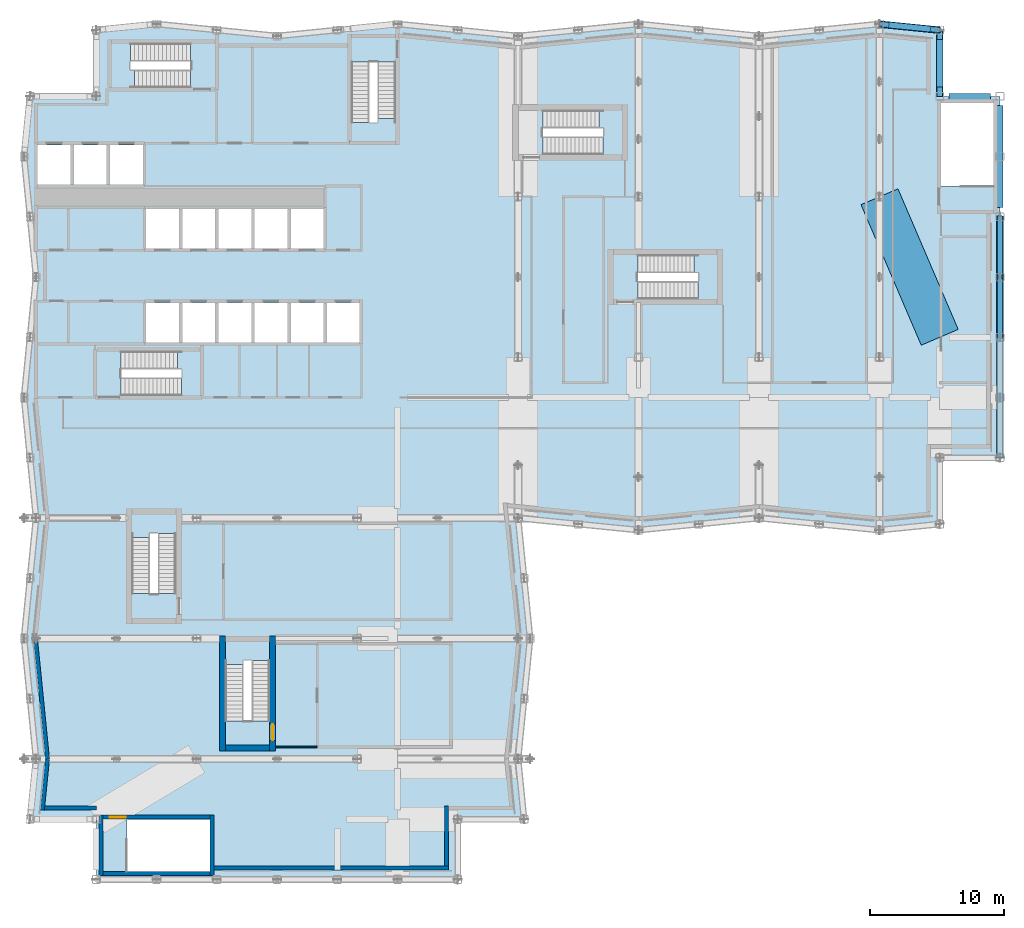
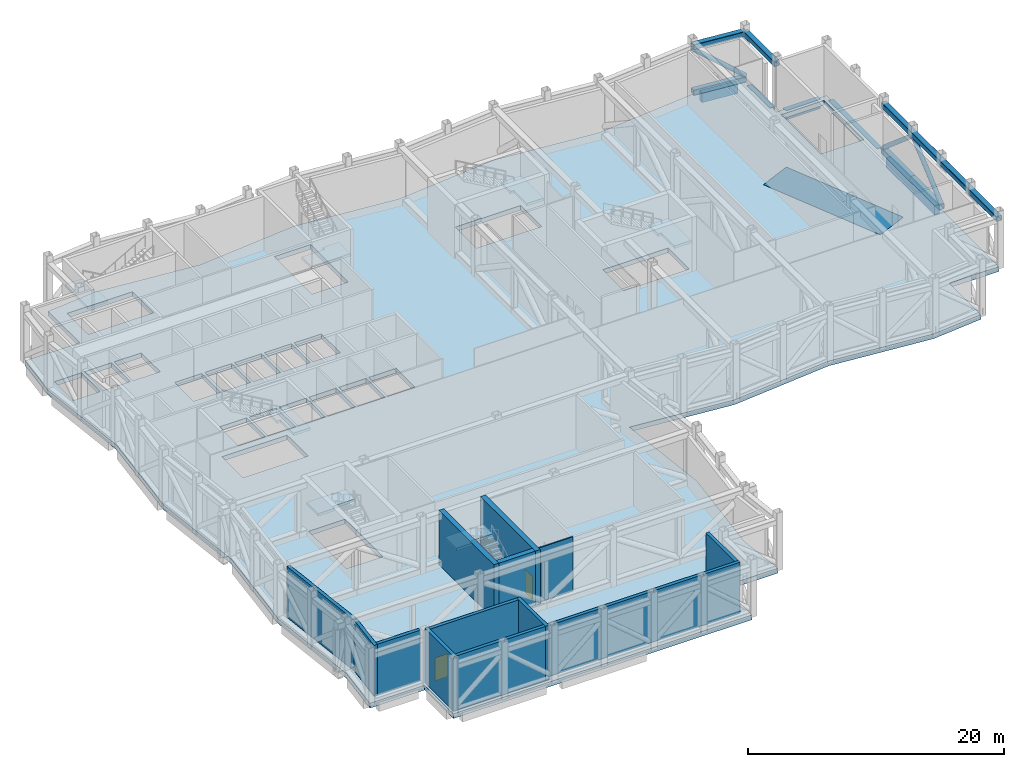
# One storey, part 8 of 22: 13 walls, 9 members, 8 slabs, 6 beams, 2 doors, 2 openings, 7 elements without a shape of their own.
"""IFC4 building model written with IfcOpenShell, lengths in metres."""

from ifc_helpers import new_model, si_unit, direction, frame, frame_2d, origin, origin_2d, place, context, subcontext, project, spatial, polyline, rectangle, hollow_rectangle, hollow_circle, outline, extrude, material, layer, layer_set, material_profile, profile_set, type_object, element, fill, aggregate, save


model = new_model("IFC4")

# Units and contexts
model_context = context("Model", 3, precision=1e-05, world=origin(), true_north=direction((0.0, 1.0)))
body_context = subcontext(model_context, "Body", "Model", "MODEL_VIEW")
ifc_project = project(units=[si_unit("LENGTHUNIT", "METRE"), si_unit("AREAUNIT", "SQUARE_METRE"), si_unit("VOLUMEUNIT", "CUBIC_METRE"), si_unit("PLANEANGLEUNIT", "RADIAN"), si_unit("MASSUNIT", "GRAM", prefix="KILO")], contexts=[model_context])

# Site, building, storey
site_placement = place(None, origin())
site = spatial("IfcSite", under=ifc_project, at=site_placement, CompositionType="ELEMENT")
building_placement = place(site_placement, origin())
building = spatial("IfcBuilding", under=site, at=building_placement, Name="Brondeck Convention Tower", CompositionType="ELEMENT")
storey_placement = place(building_placement, frame((0.0, 0.0, 32.0)))
storey = spatial("IfcBuildingStorey", under=building, at=storey_placement, Name="L05", CompositionType="ELEMENT", Elevation=32.0)

# Beams
ifc_material_1 = material(Name="Concrete C80/95", Category="concrete")
ifc_material_profile_1 = material_profile(ifc_material_1, rectangle(XDim=3.0, YDim=0.43994140625, at=origin_2d()), Name="Band beam 3000x440 Concrete C80/95")
ifc_profile_set_1 = profile_set([ifc_material_profile_1], Name="Concrete C80/95")
beam_type_1 = type_object("IfcBeamType", Name="Band beam 3000x440 Concrete C80/95", PredefinedType="BEAM", material=ifc_profile_set_1)
beam_1_placement = place(storey_placement, frame((63.0, 51.0, -0.219970703125), z_axis=(0.393919298579, -0.919145030018, 0.0), x_axis=(0.919145030018, 0.393919298579, 0.0)))
element("IfcBeam", 1, at=beam_1_placement, inside=storey, type_object=beam_type_1, Name="Band beam L05-16", PredefinedType="BEAM", context=body_context, shape_type="SweptSolid", body=[
    extrude(rectangle(XDim=3.0, YDim=0.43994140625, at=origin_2d()), origin(), (0.0, 0.0, 1.0), 11.423583984375),
])
ifc_material_profile_2 = material_profile(ifc_material_1, rectangle(XDim=0.449951171875, YDim=0.89990234375, at=origin_2d()), Name="Edge beam 450x900 Concrete C80/95")
ifc_profile_set_2 = profile_set([ifc_material_profile_2], Name="Concrete C80/95")
beam_type_2 = type_object("IfcBeamType", Name="Edge beam 450x900 Concrete C80/95", PredefinedType="BEAM", material=ifc_profile_set_2)
for number, where, z_axis, x_axis, name in (
    (2, (72.0, 41.199951171875, -0.449951171875), (0.0, 1.0, 0.0), (-1.0, 0.0, 0.0), "STR-SP-L05-016"),
    (3, (72.0, 50.199951171875, -0.449951171875), (0.0, 1.0, 0.0), (-1.0, 0.0, 0.0), "STR-SP-L05-017"),
):
    element("IfcBeam", number, at=place(storey_placement, frame(where, z_axis=z_axis, x_axis=x_axis)), inside=storey, type_object=beam_type_2, Name=name, PredefinedType="BEAM", context=body_context, shape_type="SweptSolid", body=[
        extrude(rectangle(XDim=0.449951171875, YDim=0.89990234375, at=origin_2d()), origin(), (0.0, 0.0, 1.0), 7.60009765625),
    ])
beam_2_placement = place(storey_placement, frame((71.300048828125, 58.5, -0.449951171875), z_axis=(-1.0, 0.0, 0.0), x_axis=(0.0, -1.0, 0.0)))
element("IfcBeam", 4, at=beam_2_placement, inside=storey, type_object=beam_type_2, Name="STR-SP-L05-018", PredefinedType="BEAM", context=body_context, shape_type="SweptSolid", body=[
    extrude(rectangle(XDim=0.449951171875, YDim=0.89990234375, at=origin_2d()), origin(), (0.0, 0.0, 1.0), 3.10009765625),
])
beam_3_placement = place(storey_placement, frame((67.5, 59.199951171875, -0.449951171875), z_axis=(0.0, 1.0, 0.0), x_axis=(-1.0, 0.0, 0.0)))
element("IfcBeam", 5, at=beam_3_placement, inside=storey, type_object=beam_type_2, Name="STR-SP-L05-019", PredefinedType="BEAM", context=body_context, shape_type="SweptSolid", body=[
    extrude(rectangle(XDim=0.449951171875, YDim=0.89990234375, at=origin_2d()), origin(), (0.0, 0.0, 1.0), 3.550048828125),
])
beam_4_placement = place(storey_placement, frame((66.800048828125, 63.52001953125, -0.449951171875), z_axis=(-0.995035638374, 0.099519236158, 0.0), x_axis=(-0.099519236158, -0.995035638374, 0.0)))
element("IfcBeam", 6, at=beam_4_placement, inside=storey, type_object=beam_type_2, Name="STR-SP-L05-020", PredefinedType="BEAM", context=body_context, shape_type="SweptSolid", body=[
    extrude(rectangle(XDim=0.449951171875, YDim=0.89990234375, at=origin_2d()), origin(), (0.0, 0.0, 1.0), 3.115478515625),
])

# Members
ifc_material_2 = material(Name="Steel S460", Category="steel")
ifc_material_profile_3 = material_profile(ifc_material_2, hollow_rectangle(XDim=0.5, YDim=0.5, WallThickness=0.02490234375, InnerFilletRadius=0.02490234375, OuterFilletRadius=0.050048828125, at=origin_2d()), Name="RHS 500x500x25")
ifc_profile_set_3 = profile_set([ifc_material_profile_3], Name="Steel S460")
member_type_1 = type_object("IfcMemberType", Name="Truss chord RHS 500x500x25", PredefinedType="CHORD", material=ifc_profile_set_3)
member_1_placement = place(storey_placement, frame((72.0, 31.5, 4.60009765625), z_axis=(0.0, 1.0, 0.0), x_axis=(-1.0, 0.0, 0.0)))
element("IfcMember", 7, at=member_1_placement, inside=storey, type_object=member_type_1, Name="Transfer truss T1-P1 chord", PredefinedType="CHORD", context=body_context, shape_type="SweptSolid", body=[
    extrude(hollow_rectangle(XDim=0.5, YDim=0.5, WallThickness=0.02490234375, InnerFilletRadius=0.02490234375, OuterFilletRadius=0.050048828125, at=origin_2d()), origin(), (0.0, 0.0, 1.0), 18.050537109375),
])
member_2_placement = place(storey_placement, frame((67.5, 58.5, 4.60009765625), z_axis=(0.0, 1.0, 0.0), x_axis=(-1.0, 0.0, 0.0)))
element("IfcMember", 8, at=member_2_placement, inside=storey, type_object=member_type_1, Name="Transfer truss T1-P1 chord", PredefinedType="CHORD", context=body_context, shape_type="SweptSolid", body=[
    extrude(hollow_rectangle(XDim=0.5, YDim=0.5, WallThickness=0.02490234375, InnerFilletRadius=0.02490234375, OuterFilletRadius=0.050048828125, at=origin_2d()), origin(), (0.0, 0.0, 1.0), 4.949951171875),
])
member_3_placement = place(storey_placement, frame((67.5, 63.449951171875, 4.60009765625), z_axis=(-0.995038259148, 0.099493029059, 0.0), x_axis=(-0.099493029059, -0.995038259148, 0.0)))
element("IfcMember", 9, at=member_3_placement, inside=storey, type_object=member_type_1, Name="Transfer truss T1-P1 chord", PredefinedType="CHORD", context=body_context, shape_type="SweptSolid", body=[
    extrude(hollow_rectangle(XDim=0.5, YDim=0.5, WallThickness=0.02490234375, InnerFilletRadius=0.02490234375, OuterFilletRadius=0.050048828125, at=origin_2d()), origin(), (0.0, 0.0, 1.0), 4.5224609375),
])
for number, where, z_axis, x_axis, name in (
    (10, (72.0, 40.5, 0.25), (0.0, 1.0, 0.0), (-1.0, 0.0, 0.0), "Transfer truss T1-P1 chord"),
    (11, (72.0, 45.0, 0.25), (0.0, 1.0, 0.0), (-1.0, 0.0, 0.0), "Transfer truss T1-P1 chord"),
):
    element("IfcMember", number, at=place(storey_placement, frame(where, z_axis=z_axis, x_axis=x_axis)), inside=storey, type_object=member_type_1, Name=name, PredefinedType="CHORD", context=body_context, shape_type="SweptSolid", body=[
        extrude(hollow_rectangle(XDim=0.5, YDim=0.5, WallThickness=0.02490234375, InnerFilletRadius=0.02490234375, OuterFilletRadius=0.050048828125, at=origin_2d()), origin(), (0.0, 0.0, 1.0), 4.5),
    ])
member_4_placement = place(storey_placement, frame((67.5, 63.449951171875, 0.25), z_axis=(-0.995038259148, 0.099493029059, 0.0), x_axis=(-0.099493029059, -0.995038259148, 0.0)))
element("IfcMember", 12, at=member_4_placement, inside=storey, type_object=member_type_1, Name="Transfer truss T1-P1 chord", PredefinedType="CHORD", context=body_context, shape_type="SweptSolid", body=[
    extrude(hollow_rectangle(XDim=0.5, YDim=0.5, WallThickness=0.02490234375, InnerFilletRadius=0.02490234375, OuterFilletRadius=0.050048828125, at=origin_2d()), origin(), (0.0, 0.0, 1.0), 4.5224609375),
])
ifc_material_profile_4 = material_profile(ifc_material_2, hollow_circle(Radius=0.203125, WallThickness=0.02490234375, at=origin_2d()), Name="CHS 406.4x25")
ifc_profile_set_4 = profile_set([ifc_material_profile_4], Name="Steel S460")
member_type_2 = type_object("IfcMemberType", Name="Truss diagonal CHS 406.4x25", PredefinedType="BRACE", material=ifc_profile_set_4)
for number, where, z_axis, x_axis, name in (
    (13, (72.0, 40.5, 0.5), (0.0, 0.759844100981, 0.650105331623), (-1.0, 0.0, 0.0), "Transfer truss T1-P1 diagonal"),
    (14, (72.0, 45.0, 4.35009765625), (0.0, 0.759844100981, -0.650105331623), (-1.0, 0.0, 0.0), "Transfer truss T1-P1 diagonal"),
):
    element("IfcMember", number, at=place(storey_placement, frame(where, z_axis=z_axis, x_axis=x_axis)), inside=storey, type_object=member_type_2, Name=name, PredefinedType="BRACE", context=body_context, shape_type="SweptSolid", body=[
        extrude(hollow_circle(Radius=0.203125, WallThickness=0.02490234375, at=origin_2d()), origin(), (0.0, 0.0, 1.0), 5.92236328125),
    ])
member_5_placement = place(storey_placement, frame((67.5, 63.449951171875, 0.5), z_axis=(-0.757660496322, 0.07575782849, 0.648237089139), x_axis=(-0.099493029059, -0.995038259148, 0.0)))
element("IfcMember", 15, at=member_5_placement, inside=storey, type_object=member_type_2, Name="Transfer truss T1-P1 diagonal", PredefinedType="BRACE", context=body_context, shape_type="SweptSolid", body=[
    extrude(hollow_circle(Radius=0.203125, WallThickness=0.02490234375, at=origin_2d()), origin(), (0.0, 0.0, 1.0), 5.939453125),
])

# Slab
ifc_material_3 = material(Name="Concrete C35/45", Category="concrete")
ifc_layer_1 = layer(ifc_material_3, 0.449951171875)
ifc_layer_set_1 = layer_set([ifc_layer_1], Name="Composite floor slab 450")
slab_type_1 = type_object("IfcSlabType", Name="Composite floor slab 450", PredefinedType="FLOOR", material=ifc_layer_set_1)
slab_1_placement = place(storey_placement, frame((0.0, 0.0, -0.449951171875)))
element("IfcSlab", 16, at=slab_1_placement, inside=storey, type_object=slab_type_1, Name="STR-SL-L05", PredefinedType="FLOOR", context=body_context, shape_type="SweptSolid", body=[
    extrude(outline(polyline([(4.5, 4.5), (-0.449951171875, 4.5), (0.0, 9.0), (-0.89990234375, 18.0), (0.0, 27.0), (-0.89990234375, 36.0), (0.0, 45.0), (-0.89990234375, 54.0), (-0.449951171875, 58.5), (4.5, 58.5), (4.5, 63.449951171875), (9.0, 63.89990234375), (18.0, 63.0), (27.0, 63.89990234375), (36.0, 63.0), (45.0, 63.89990234375), (54.0, 63.0), (63.0, 63.89990234375), (67.5, 63.449951171875), (67.5, 58.5), (72.0, 58.5), (72.0, 31.5), (67.5, 31.5), (67.5, 26.550048828125), (63.0, 26.10009765625), (54.0, 27.0), (45.0, 26.10009765625), (36.0, 27.0), (36.89990234375, 18.0), (36.0, 9.0), (36.449951171875, 4.5), (31.5, 4.5), (31.5, 0.0), (4.5, 0.0), (4.5, 4.5)]), holes=[polyline([(12.998046875, 0.60205078125), (12.998046875, 4.498046875), (6.802001953125, 4.498046875), (6.802001953125, 0.60205078125), (12.998046875, 0.60205078125)]), polyline([(10.447998046875, 27.248046875), (7.152099609375, 27.248046875), (7.152099609375, 21.35205078125), (10.447998046875, 21.35205078125), (10.447998046875, 27.248046875)]), polyline([(12.248046875, 36.152099609375), (12.248046875, 39.447998046875), (6.35205078125, 39.447998046875), (6.35205078125, 36.152099609375), (12.248046875, 36.152099609375)]), polyline([(8.22509765625, 40.125), (10.675048828125, 40.125), (10.675048828125, 43.074951171875), (8.22509765625, 43.074951171875), (8.22509765625, 40.125)]), polyline([(10.925048828125, 40.125), (13.375, 40.125), (13.375, 43.074951171875), (10.925048828125, 43.074951171875), (10.925048828125, 40.125)]), polyline([(10.675048828125, 47.125), (10.675048828125, 50.074951171875), (8.22509765625, 50.074951171875), (8.22509765625, 47.125), (10.675048828125, 47.125)]), polyline([(10.925048828125, 47.125), (13.375, 47.125), (13.375, 50.074951171875), (10.925048828125, 50.074951171875), (10.925048828125, 47.125)]), polyline([(13.625, 47.125), (16.074951171875, 47.125), (16.074951171875, 50.074951171875), (13.625, 50.074951171875), (13.625, 47.125)]), polyline([(2.574951171875, 51.925048828125), (2.574951171875, 54.875), (0.125, 54.875), (0.125, 51.925048828125), (2.574951171875, 51.925048828125)]), polyline([(2.824951171875, 51.925048828125), (5.27490234375, 51.925048828125), (5.27490234375, 54.875), (2.824951171875, 54.875), (2.824951171875, 51.925048828125)]), polyline([(5.52490234375, 51.925048828125), (7.97509765625, 51.925048828125), (7.97509765625, 54.875), (5.52490234375, 54.875), (5.52490234375, 51.925048828125)]), polyline([(5.652099609375, 62.447998046875), (5.652099609375, 59.152099609375), (11.548095703125, 59.152099609375), (11.548095703125, 62.447998046875), (5.652099609375, 62.447998046875)]), polyline([(17.447998046875, 11.85205078125), (17.447998046875, 17.748046875), (14.152099609375, 17.748046875), (14.152099609375, 11.85205078125), (17.447998046875, 11.85205078125)]), polyline([(13.625, 40.125), (16.074951171875, 40.125), (16.074951171875, 43.074951171875), (13.625, 43.074951171875), (13.625, 40.125)]), polyline([(18.77490234375, 40.125), (18.77490234375, 43.074951171875), (16.324951171875, 43.074951171875), (16.324951171875, 40.125), (18.77490234375, 40.125)]), polyline([(19.02490234375, 40.125), (21.47509765625, 40.125), (21.47509765625, 43.074951171875), (19.02490234375, 43.074951171875), (19.02490234375, 40.125)]), polyline([(21.72509765625, 40.125), (24.175048828125, 40.125), (24.175048828125, 43.074951171875), (21.72509765625, 43.074951171875), (21.72509765625, 40.125)]), polyline([(50.847900390625, 43.35205078125), (50.847900390625, 46.64794921875), (44.951904296875, 46.64794921875), (44.951904296875, 43.35205078125), (50.847900390625, 43.35205078125)]), polyline([(16.324951171875, 47.125), (18.77490234375, 47.125), (18.77490234375, 50.074951171875), (16.324951171875, 50.074951171875), (16.324951171875, 47.125)]), polyline([(19.02490234375, 47.125), (21.47509765625, 47.125), (21.47509765625, 50.074951171875), (19.02490234375, 50.074951171875), (19.02490234375, 47.125)]), polyline([(71.498046875, 57.998046875), (67.60205078125, 57.998046875), (67.60205078125, 51.802001953125), (71.498046875, 51.802001953125), (71.498046875, 57.998046875)]), polyline([(37.85205078125, 54.152099609375), (43.748046875, 54.152099609375), (43.748046875, 57.447998046875), (37.85205078125, 57.447998046875), (37.85205078125, 54.152099609375)]), polyline([(23.552001953125, 61.048095703125), (23.552001953125, 55.152099609375), (26.847900390625, 55.152099609375), (26.847900390625, 61.048095703125), (23.552001953125, 61.048095703125)])]), origin(), (0.0, 0.0, 1.0), 0.449951171875),
])

# Stair, slab
ifc_material_4 = material(Name="Precast concrete C50/60", Category="concrete")
stair_type = type_object("IfcStairType", Name="Core stair 32 risers 171.88 mm riser 300 mm going 1350 wide", PredefinedType="HALF_TURN_STAIR", material=ifc_material_4)
stair_1_placement = place(storey_placement, origin())
stair_1 = element("IfcStair", 17, at=stair_1_placement, inside=storey, type_object=stair_type, Name="ST-1 L05 stair", PredefinedType="HALF_TURN_STAIR")
ifc_layer_2 = layer(ifc_material_4, 0.25)
ifc_layer_set_2 = layer_set([ifc_layer_2], Name="Core stair landing 250 Precast concrete C50/60")
slab_type_2 = type_object("IfcSlabType", Name="Core stair landing 250 Precast concrete C50/60", PredefinedType="LANDING", material=ifc_layer_set_2)
slab_2_placement = place(storey_placement, frame((0.0, 0.0, 2.5)))
slab_2 = element("IfcSlab", 18, at=slab_2_placement, type_object=slab_type_2, Name="ST-1 landing 1", PredefinedType="LANDING", context=body_context, shape_type="SweptSolid", body=[
    extrude(outline(polyline([(10.847900390625, 37.5), (10.85009765625, 37.5), (10.85009765625, 38.10009765625), (10.550048828125, 38.10009765625), (10.550048828125, 39.570068359375), (12.3701171875, 39.570068359375), (12.3701171875, 36.030029296875), (10.847900390625, 36.030029296875), (10.847900390625, 37.5)])), origin(), (0.0, 0.0, 1.0), 0.25),
])
aggregate(stair_1, [slab_2])

stair_2_placement = place(storey_placement, origin())
stair_2 = element("IfcStair", 19, at=stair_2_placement, inside=storey, type_object=stair_type, Name="ST-2 L05 stair", PredefinedType="HALF_TURN_STAIR")
slab_3_placement = place(storey_placement, frame((0.0, 0.0, 2.5)))
slab_3 = element("IfcSlab", 20, at=slab_3_placement, type_object=slab_type_2, Name="ST-2 landing 1", PredefinedType="LANDING", context=body_context, shape_type="SweptSolid", body=[
    extrude(outline(polyline([(23.429931640625, 56.552001953125), (24.89990234375, 56.552001953125), (24.89990234375, 56.550048828125), (25.5, 56.550048828125), (25.5, 56.85009765625), (26.969970703125, 56.85009765625), (26.969970703125, 55.030029296875), (23.429931640625, 55.030029296875), (23.429931640625, 56.552001953125)])), origin(), (0.0, 0.0, 1.0), 0.25),
])
aggregate(stair_2, [slab_3])

stair_3_placement = place(storey_placement, origin())
stair_3 = element("IfcStair", 21, at=stair_3_placement, inside=storey, type_object=stair_type, Name="ST-3 L05 stair", PredefinedType="HALF_TURN_STAIR")
slab_4_placement = place(storey_placement, frame((0.0, 0.0, 2.5)))
slab_4 = element("IfcSlab", 22, at=slab_4_placement, type_object=slab_type_2, Name="ST-3 landing 1", PredefinedType="LANDING", context=body_context, shape_type="SweptSolid", body=[
    extrude(outline(polyline([(7.35009765625, 60.5), (7.35009765625, 59.030029296875), (5.530029296875, 59.030029296875), (5.530029296875, 62.570068359375), (7.052001953125, 62.570068359375), (7.052001953125, 61.10009765625), (7.050048828125, 61.10009765625), (7.050048828125, 60.5), (7.35009765625, 60.5)])), origin(), (0.0, 0.0, 1.0), 0.25),
])
aggregate(stair_3, [slab_4])

stair_4_placement = place(storey_placement, origin())
stair_4 = element("IfcStair", 23, at=stair_4_placement, inside=storey, type_object=stair_type, Name="ST-AE L05 stair", PredefinedType="HALF_TURN_STAIR")
slab_5_placement = place(storey_placement, frame((0.0, 0.0, 2.5)))
slab_5 = element("IfcSlab", 24, at=slab_5_placement, type_object=slab_type_2, Name="ST-AE landing 1", PredefinedType="LANDING", context=body_context, shape_type="SweptSolid", body=[
    extrude(outline(polyline([(42.347900390625, 55.5), (42.35009765625, 55.5), (42.35009765625, 56.10009765625), (42.050048828125, 56.10009765625), (42.050048828125, 57.570068359375), (43.8701171875, 57.570068359375), (43.8701171875, 54.030029296875), (42.347900390625, 54.030029296875), (42.347900390625, 55.5)])), origin(), (0.0, 0.0, 1.0), 0.25),
])
aggregate(stair_4, [slab_5])

stair_5_placement = place(storey_placement, origin())
stair_5 = element("IfcStair", 25, at=stair_5_placement, inside=storey, type_object=stair_type, Name="ST-BE L05 stair", PredefinedType="HALF_TURN_STAIR")
slab_6_placement = place(storey_placement, frame((0.0, 0.0, 2.5)))
slab_6 = element("IfcSlab", 26, at=slab_6_placement, type_object=slab_type_2, Name="ST-BE landing 1", PredefinedType="LANDING", context=body_context, shape_type="SweptSolid", body=[
    extrude(outline(polyline([(7.030029296875, 25.550048828125), (7.030029296875, 27.3701171875), (10.570068359375, 27.3701171875), (10.570068359375, 25.847900390625), (9.10009765625, 25.847900390625), (9.10009765625, 25.85009765625), (8.5, 25.85009765625), (8.5, 25.550048828125), (7.030029296875, 25.550048828125)])), origin(), (0.0, 0.0, 1.0), 0.25),
])
aggregate(stair_5, [slab_6])

stair_6_placement = place(storey_placement, origin())
stair_6 = element("IfcStair", 27, at=stair_6_placement, inside=storey, type_object=stair_type, Name="ST-AF L05 stair", PredefinedType="HALF_TURN_STAIR")
slab_7_placement = place(storey_placement, frame((0.0, 0.0, 2.5)))
slab_7 = element("IfcSlab", 28, at=slab_7_placement, type_object=slab_type_2, Name="ST-AF landing 1", PredefinedType="LANDING", context=body_context, shape_type="SweptSolid", body=[
    extrude(outline(polyline([(49.447998046875, 44.699951171875), (49.449951171875, 44.699951171875), (49.449951171875, 45.300048828125), (49.14990234375, 45.300048828125), (49.14990234375, 46.77001953125), (50.969970703125, 46.77001953125), (50.969970703125, 43.22998046875), (49.447998046875, 43.22998046875), (49.447998046875, 44.699951171875)])), origin(), (0.0, 0.0, 1.0), 0.25),
])
aggregate(stair_6, [slab_7])

stair_7_placement = place(storey_placement, origin())
stair_7 = element("IfcStair", 29, at=stair_7_placement, inside=storey, type_object=stair_type, Name="ST-BF L05 stair", PredefinedType="HALF_TURN_STAIR")
slab_8_placement = place(storey_placement, frame((0.0, 0.0, 2.5)))
slab_8 = element("IfcSlab", 30, at=slab_8_placement, type_object=slab_type_2, Name="ST-BF landing 1", PredefinedType="LANDING", context=body_context, shape_type="SweptSolid", body=[
    extrude(outline(polyline([(14.030029296875, 16.050048828125), (14.030029296875, 17.8701171875), (17.570068359375, 17.8701171875), (17.570068359375, 16.347900390625), (16.10009765625, 16.347900390625), (16.10009765625, 16.35009765625), (15.5, 16.35009765625), (15.5, 16.050048828125), (14.030029296875, 16.050048828125)])), origin(), (0.0, 0.0, 1.0), 0.25),
])
aggregate(stair_7, [slab_8])

# Walls
ifc_material_5 = material(Name="Precast concrete C50/60 bronze finish", Category="concrete")
ifc_layer_3 = layer(ifc_material_5, 0.070068359375, Name="Bronze precast facing")
ifc_material_6 = material(Name="Mineral wool")
ifc_layer_4 = layer(ifc_material_6, 0.159912109375, Name="Insulation")
ifc_layer_5 = layer(ifc_material_3, 0.070068359375, Name="Backing")
ifc_layer_set_3 = layer_set([ifc_layer_3, ifc_layer_4, ifc_layer_5], Name="External infill wall, precast concrete C50/60 bronze facing")
wall_type_1 = type_object("IfcWallType", Name="External infill wall, precast concrete C50/60 bronze facing", PredefinedType="SOLIDWALL", material=ifc_layer_set_3)
wall_1_placement = place(storey_placement, frame((30.800048828125, 0.85009765625, 0.0), z_axis=(0.0, 0.0, 1.0), x_axis=(-1.0, 0.0, 0.0)))
element("IfcWall", 31, at=wall_1_placement, inside=storey, type_object=wall_type_1, Name="ENV-EW-L05-P0-B-S0-03", PredefinedType="SOLIDWALL", context=body_context, shape_type="SweptSolid", body=[
    extrude(rectangle(XDim=17.5, YDim=0.300048828125, at=frame_2d((8.75, 0.0))), origin(), (0.0, 0.0, 1.0), 4.85009765625),
])
wall_2_placement = place(storey_placement, frame((30.64990234375, 5.5, 0.0), z_axis=(0.0, 0.0, 1.0), x_axis=(0.0, -1.0, 0.0)))
element("IfcWall", 32, at=wall_2_placement, inside=storey, type_object=wall_type_1, Name="ENV-EW-L05-P0-NC-SEB0-01", PredefinedType="SOLIDWALL", context=body_context, shape_type="SweptSolid", body=[
    extrude(rectangle(XDim=4.501953125, YDim=0.300048828125, at=frame_2d((2.2509765625, 0.0))), origin(), (0.0, 0.0, 1.0), 4.85009765625),
])
wall_3_placement = place(storey_placement, frame((0.855712890625, 8.985107421875, 0.0), z_axis=(0.0, 0.0, 1.0), x_axis=(-0.099495688264, 0.995037993253, 0.0)))
element("IfcWall", 33, at=wall_3_placement, inside=storey, type_object=wall_type_1, Name="ENV-EW-L05-P0-B-W-10", PredefinedType="SOLIDWALL", context=body_context, shape_type="SweptSolid", body=[
    extrude(rectangle(XDim=9.030029296875, YDim=0.300048828125, at=frame_2d((4.51513671875, 0.0))), origin(), (0.0, 0.0, 1.0), 4.85009765625),
])
wall_4_placement = place(storey_placement, frame((0.47265625, 5.18505859375, 0.0), z_axis=(0.0, 0.0, 1.0), x_axis=(0.099541845169, 0.995033376857, 0.0)))
element("IfcWall", 34, at=wall_4_placement, inside=storey, type_object=wall_type_1, Name="ENV-EW-L05-P0-B-W-12", PredefinedType="SOLIDWALL", context=body_context, shape_type="SweptSolid", body=[
    extrude(rectangle(XDim=3.803955078125, YDim=0.300048828125, at=frame_2d((1.90185546875, 0.0))), origin(), (0.0, 0.0, 1.0), 4.85009765625),
])
wall_5_placement = place(storey_placement, frame((4.5, 5.35009765625, 0.0), z_axis=(0.0, 0.0, 1.0), x_axis=(-1.0, 0.0, 0.0)))
element("IfcWall", 35, at=wall_5_placement, inside=storey, type_object=wall_type_1, Name="ENV-EW-L05-P0-NC-SWB0-01", PredefinedType="SOLIDWALL", context=body_context, shape_type="SweptSolid", body=[
    extrude(rectangle(XDim=3.854736328125, YDim=0.300048828125, at=frame_2d((1.92724609375, 0.0))), origin(), (0.0, 0.0, 1.0), 4.85009765625),
])
ifc_material_7 = material(Name="Gypsum board partition on steel studs", Category="steel")
ifc_layer_6 = layer(ifc_material_7, 0.10009765625)
ifc_layer_set_4 = layer_set([ifc_layer_6], Name="Room partition 100")
wall_type_2 = type_object("IfcWallType", Name="Room partition 100", PredefinedType="PARTITIONING", material=ifc_layer_set_4)
wall_6_placement = place(storey_placement, frame((21.0, 9.89990234375, 0.0), z_axis=(0.0, 0.0, 1.0), x_axis=(-1.0, 0.0, 0.0)))
element("IfcWall", 36, at=wall_6_placement, inside=storey, type_object=wall_type_2, Name="FLR-L05-W001", PredefinedType="PARTITIONING", context=body_context, shape_type="SweptSolid", body=[
    extrude(rectangle(XDim=3.10009765625, YDim=0.10009765625, at=frame_2d((1.550048828125, 0.0))), origin(), (0.0, 0.0, 1.0), 5.179931640625),
])
ifc_material_8 = material(Name="Concrete C50/60", Category="concrete")
ifc_layer_7 = layer(ifc_material_8, 0.300048828125)
ifc_layer_set_5 = layer_set([ifc_layer_7], Name="Stair enclosure bearing wall 300 Concrete C50/60")
wall_type_3 = type_object("IfcWallType", Name="Stair enclosure bearing wall 300 Concrete C50/60", PredefinedType="SHEAR", material=ifc_layer_set_5)
wall_7_placement = place(storey_placement, frame((5.0, 0.449951171875, 0.0), z_axis=(0.0, 0.0, 1.0), x_axis=(1.0, 0.0, 0.0)))
element("IfcWall", 37, at=wall_7_placement, inside=storey, type_object=wall_type_3, Name="L05 core wall", PredefinedType="SHEAR", context=body_context, shape_type="SweptSolid", body=[
    extrude(rectangle(XDim=8.0, YDim=0.300048828125, at=frame_2d((4.0, 0.0))), origin(), (0.0, 0.0, 1.0), 5.199951171875),
])

# Wall, opening, door
wall_8_placement = place(storey_placement, frame((5.0, 4.64990234375, 0.0), z_axis=(0.0, 0.0, 1.0), x_axis=(1.0, 0.0, 0.0)))
wall_8 = element("IfcWall", 38, at=wall_8_placement, inside=storey, type_object=wall_type_3, Name="L05 core wall", PredefinedType="SHEAR", context=body_context, shape_type="SweptSolid", body=[
    extrude(rectangle(XDim=8.0, YDim=0.300048828125, at=frame_2d((4.0, 0.0))), origin(), (0.0, 0.0, 1.0), 5.199951171875),
])
opening_1_placement = place(wall_8_placement, frame((0.5, 0.0, 0.0)))
opening_1 = element("IfcOpeningElement", 39, at=opening_1_placement, cuts=wall_8, Name="Opening C07-15", PredefinedType="OPENING", context=body_context, shape_type="SweptSolid", body=[
    extrude(rectangle(XDim=1.199951171875, YDim=2.199951171875, at=frame_2d((0.60009765625, 1.10009765625))), frame((0.0, 0.159912109375, 0.0), z_axis=(0.0, -1.0, 0.0), x_axis=(1.0, 0.0, 0.0)), (0.0, 0.0, 1.0), 0.320068359375),
])
ifc_material_9 = material(Name="Steel fire door", Category="steel")
door_type = type_object("IfcDoorType", Name="Stair door 1200x2200 EI 90", OperationType="NOTDEFINED", PredefinedType="DOOR", material=ifc_material_9)
door_1_placement = place(opening_1_placement, origin())
door_1 = element("IfcDoor", 40, at=door_1_placement, inside=storey, type_object=door_type, Name="L05 Stair door PS-2", OperationType="SINGLE_SWING_LEFT", OverallHeight=2.199951171875, OverallWidth=1.199951171875, PredefinedType="DOOR", context=body_context, shape_type="SweptSolid", body=[
    extrude(rectangle(XDim=1.199951171875, YDim=2.199951171875, at=frame_2d((0.60009765625, 1.10009765625))), frame((0.0, 0.02490234375, 0.0), z_axis=(0.0, -1.0, 0.0), x_axis=(1.0, 0.0, 0.0)), (0.0, 0.0, 1.0), 0.050048828125),
])
fill(opening_1, door_1)

# Walls
for number, where, z_axis, x_axis, name in (
    (41, (4.85009765625, 0.300048828125, 0.0), (0.0, 0.0, 1.0), (0.0, 1.0, 0.0), "L05 core wall"),
    (42, (13.14990234375, 0.300048828125, 0.0), (0.0, 0.0, 1.0), (0.0, 1.0, 0.0), "L05 core wall"),
):
    element("IfcWall", number, at=place(storey_placement, frame(where, z_axis=z_axis, x_axis=x_axis)), inside=storey, type_object=wall_type_3, Name=name, PredefinedType="SHEAR", context=body_context, shape_type="SweptSolid", body=[
        extrude(rectangle(XDim=4.5, YDim=0.300048828125, at=frame_2d((2.25, 0.0))), origin(), (0.0, 0.0, 1.0), 5.199951171875),
    ])
ifc_layer_8 = layer(ifc_material_8, 0.449951171875)
ifc_layer_set_6 = layer_set([ifc_layer_8], Name="Stair enclosure bearing wall 450 Concrete C50/60")
wall_type_4 = type_object("IfcWallType", Name="Stair enclosure bearing wall 450 Concrete C50/60", PredefinedType="SHEAR", material=ifc_layer_set_6)
wall_9_placement = place(storey_placement, frame((14.14990234375, 9.824951171875, 0.0), z_axis=(0.0, 0.0, 1.0), x_axis=(1.0, 0.0, 0.0)))
element("IfcWall", 43, at=wall_9_placement, inside=storey, type_object=wall_type_4, Name="L05 core wall", PredefinedType="SHEAR", context=body_context, shape_type="SweptSolid", body=[
    extrude(rectangle(XDim=3.300048828125, YDim=0.449951171875, at=frame_2d((1.64990234375, 0.0))), origin(), (0.0, 0.0, 1.0), 5.199951171875),
])
wall_10_placement = place(storey_placement, frame((13.925048828125, 9.60009765625, 0.0), z_axis=(0.0, 0.0, 1.0), x_axis=(0.0, 1.0, 0.0)))
element("IfcWall", 44, at=wall_10_placement, inside=storey, type_object=wall_type_4, Name="L05 core wall", PredefinedType="SHEAR", context=body_context, shape_type="SweptSolid", body=[
    extrude(rectangle(XDim=8.599853515625, YDim=0.449951171875, at=frame_2d((4.2998046875, 0.0))), origin(), (0.0, 0.0, 1.0), 5.199951171875),
])

# Wall, opening, door
wall_11_placement = place(storey_placement, frame((17.675048828125, 9.60009765625, 0.0), z_axis=(0.0, 0.0, 1.0), x_axis=(0.0, 1.0, 0.0)))
wall_11 = element("IfcWall", 45, at=wall_11_placement, inside=storey, type_object=wall_type_4, Name="L05 core wall", PredefinedType="SHEAR", context=body_context, shape_type="SweptSolid", body=[
    extrude(rectangle(XDim=8.599853515625, YDim=0.449951171875, at=frame_2d((4.2998046875, 0.0))), origin(), (0.0, 0.0, 1.0), 5.199951171875),
])
opening_2_placement = place(wall_11_placement, frame((0.800048828125, 0.0, 0.0)))
opening_2 = element("IfcOpeningElement", 46, at=opening_2_placement, cuts=wall_11, Name="Opening C07-22", PredefinedType="OPENING", context=body_context, shape_type="SweptSolid", body=[
    extrude(rectangle(XDim=1.199951171875, YDim=2.199951171875, at=frame_2d((0.60009765625, 1.10009765625))), frame((0.0, 0.23486328125, 0.0), z_axis=(0.0, -1.0, 0.0), x_axis=(1.0, 0.0, 0.0)), (0.0, 0.0, 1.0), 0.469970703125),
])
door_2_placement = place(opening_2_placement, origin())
door_2 = element("IfcDoor", 47, at=door_2_placement, inside=storey, type_object=door_type, Name="L05 Stair door ST-BF", OperationType="SINGLE_SWING_LEFT", OverallHeight=2.199951171875, OverallWidth=1.199951171875, PredefinedType="DOOR", context=body_context, shape_type="SweptSolid", body=[
    extrude(rectangle(XDim=1.199951171875, YDim=2.199951171875, at=frame_2d((0.60009765625, 1.10009765625))), frame((0.0, 0.02490234375, 0.0), z_axis=(0.0, -1.0, 0.0), x_axis=(1.0, 0.0, 0.0)), (0.0, 0.0, 1.0), 0.050048828125),
])
fill(opening_2, door_2)

save(model, "model.ifc")
